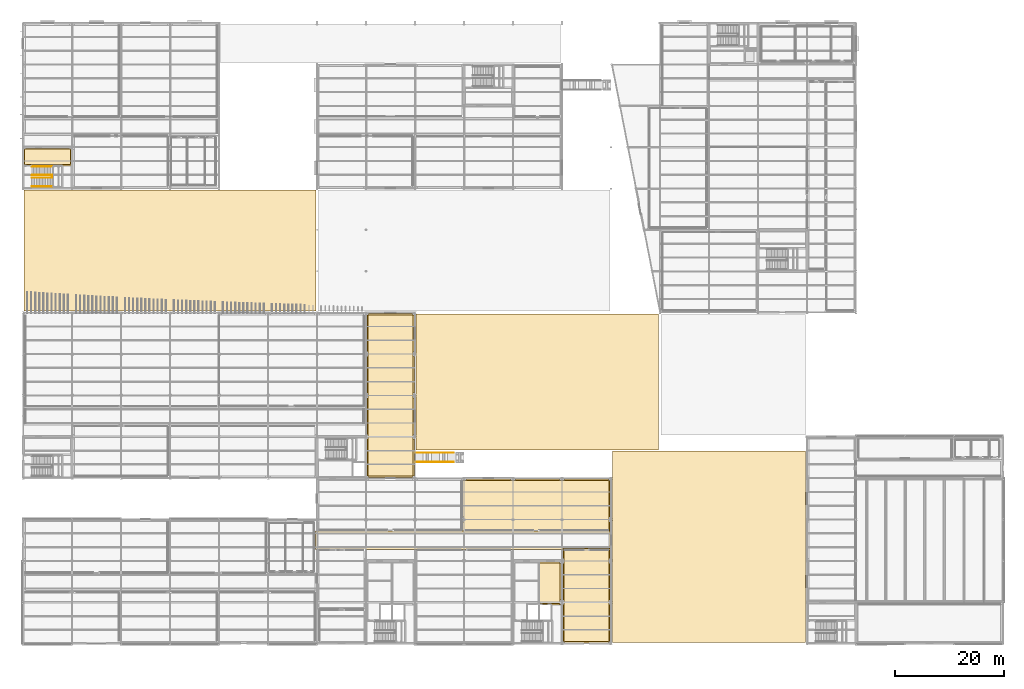
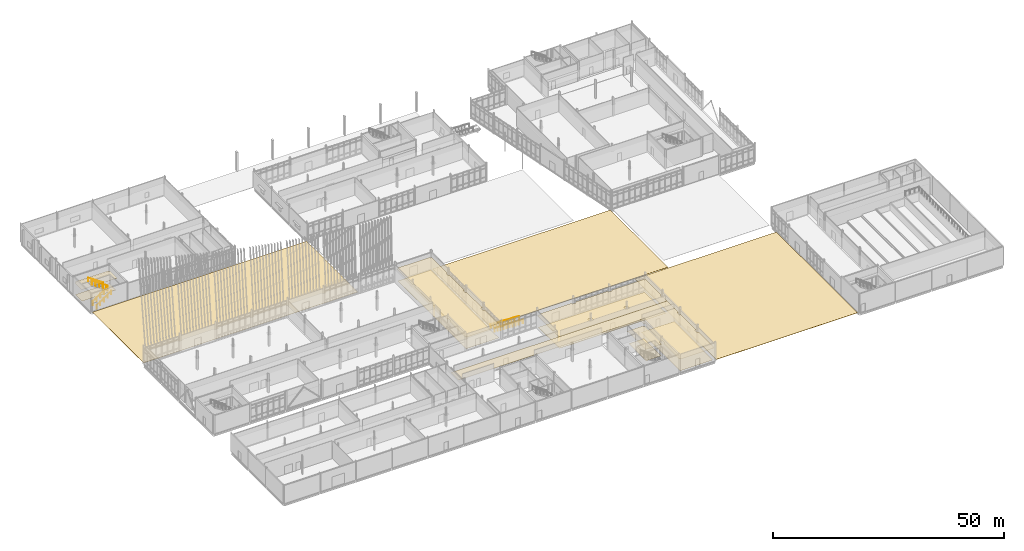
# One storey, part 154 of 161: 14 coverings, 5 railings, 1 element without a shape of its own.
"""IFC4 building model written with IfcOpenShell, lengths in metres."""

from ifc_helpers import new_model, si_unit, direction, frame, origin, origin_2d, place, context, subcontext, project, spatial, polyline, circle, outline, extrude, material, layer, layer_set, type_object, element, aggregate, save


model = new_model("IFC4")

# Units and contexts
model_context = context("Model", 3, precision=1e-05, world=origin(), true_north=direction((0.0, 1.0)))
body_context = subcontext(model_context, "Body", "Model", "MODEL_VIEW")
ifc_project = project(units=[si_unit("LENGTHUNIT", "METRE"), si_unit("AREAUNIT", "SQUARE_METRE"), si_unit("VOLUMEUNIT", "CUBIC_METRE"), si_unit("PLANEANGLEUNIT", "RADIAN"), si_unit("MASSUNIT", "GRAM", prefix="KILO")], contexts=[model_context])

# Site, building, storey
site_placement = place(None, origin())
site = spatial("IfcSite", under=ifc_project, at=site_placement, CompositionType="ELEMENT")
building_placement = place(site_placement, origin())
building = spatial("IfcBuilding", under=site, at=building_placement, Name="Caisbarro Railhouse Central Library", CompositionType="ELEMENT")
storey_placement = place(building_placement, origin())
storey = spatial("IfcBuildingStorey", under=building, at=storey_placement, Name="L00", CompositionType="ELEMENT", Elevation=0.0)

# Coverings
ifc_material_1 = material(Name="Perforated mineral-fibre acoustic ceiling tile")
ifc_layer_1 = layer(ifc_material_1, 0.01806640625, Name="Perforated mineral-fibre acoustic ceiling tile")
ifc_layer_set_1 = layer_set([ifc_layer_1], Name="Perforated mineral-fibre acoustic ceiling tile")
covering_type_1 = type_object("IfcCoveringType", Name="COV-CL01", PredefinedType="CEILING", material=ifc_layer_set_1)
covering_1_placement = place(storey_placement, frame((0.0, 0.0, 3.25)))
element("IfcCovering", 1, at=covering_1_placement, inside=storey, type_object=covering_type_1, Name="CL01 acoustic ceiling Lift Lobby K2", PredefinedType="CEILING", context=body_context, shape_type="SweptSolid", body=[
    extrude(outline(polyline([(98.56005859375, 15.110107421875), (98.56005859375, 14.760009765625), (98.909912109375, 14.760009765625), (98.909912109375, 8.0400390625), (98.56005859375, 8.0400390625), (98.56005859375, 7.159912109375), (98.909912109375, 7.159912109375), (98.909912109375, 7.090087890625), (94.639892578125, 7.090087890625), (94.639892578125, 15.110107421875), (98.56005859375, 15.110107421875)])), origin(), (0.0, 0.0, 1.0), 0.01806640625),
])
covering_2_placement = place(storey_placement, frame((0.0, 0.0, 3.25)))
element("IfcCovering", 2, at=covering_2_placement, inside=storey, type_object=covering_type_1, Name="CL01 acoustic ceiling Stair Lobby K8", PredefinedType="CEILING", context=body_context, shape_type="SweptSolid", body=[
    extrude(outline(polyline([(0.43994140625, 90.760009765625), (0.43994140625, 91.110107421875), (8.56005859375, 91.110107421875), (8.56005859375, 90.760009765625), (8.9599609375, 90.760009765625), (8.9599609375, 87.739990234375), (0.0400390625, 87.739990234375), (0.0400390625, 90.760009765625), (0.43994140625, 90.760009765625)])), origin(), (0.0, 0.0, 1.0), 0.01806640625),
])
covering_3_placement = place(storey_placement, frame((0.0, 0.0, 3.25)))
element("IfcCovering", 3, at=covering_3_placement, inside=storey, type_object=covering_type_1, Name="CL01 acoustic ceiling Ground Exit Passage East", PredefinedType="CEILING", context=body_context, shape_type="SweptSolid", body=[
    extrude(outline(polyline([(99.139892578125, 0.43994140625), (99.139892578125, 7.159912109375), (99.43994140625, 7.159912109375), (99.43994140625, 8.0400390625), (99.139892578125, 8.0400390625), (99.139892578125, 14.760009765625), (99.43994140625, 14.760009765625), (99.43994140625, 15.639892578125), (99.139892578125, 15.639892578125), (99.139892578125, 17.4599609375), (107.860107421875, 17.4599609375), (107.860107421875, 15.639892578125), (107.56005859375, 15.639892578125), (107.56005859375, 14.760009765625), (107.860107421875, 14.760009765625), (107.860107421875, 8.0400390625), (107.56005859375, 8.0400390625), (107.56005859375, 7.159912109375), (107.860107421875, 7.159912109375), (107.860107421875, 0.43994140625), (107.56005859375, 0.43994140625), (107.56005859375, 0.139892578125), (99.43994140625, 0.139892578125), (99.43994140625, 0.43994140625), (99.139892578125, 0.43994140625)])), origin(), (0.0, 0.0, 1.0), 0.01806640625),
])
covering_4_placement = place(storey_placement, frame((0.0, 0.0, 3.25)))
element("IfcCovering", 4, at=covering_4_placement, inside=storey, type_object=covering_type_1, Name="CL01 acoustic ceiling Archive Spine Corridor L00", PredefinedType="CEILING", context=body_context, shape_type="SweptSolid", body=[
    extrude(outline(polyline([(53.739990234375, 17.340087890625), (53.739990234375, 20.659912109375), (107.860107421875, 20.659912109375), (107.860107421875, 17.340087890625), (53.739990234375, 17.340087890625)])), origin(), (0.0, 0.0, 1.0), 0.01806640625),
])
covering_5_placement = place(storey_placement, frame((0.0, 0.0, 3.25)))
element("IfcCovering", 5, at=covering_5_placement, inside=storey, type_object=covering_type_1, Name="CL01 acoustic ceiling Bindery and Preservation Workshop", PredefinedType="CEILING", context=body_context, shape_type="SweptSolid", body=[
    extrude(outline(polyline([(89.56005859375, 30.260009765625), (89.56005859375, 29.9599609375), (90.43994140625, 29.9599609375), (90.43994140625, 30.260009765625), (98.56005859375, 30.260009765625), (98.56005859375, 29.9599609375), (99.43994140625, 29.9599609375), (99.43994140625, 30.260009765625), (107.56005859375, 30.260009765625), (107.56005859375, 29.9599609375), (107.860107421875, 29.9599609375), (107.860107421875, 23.239990234375), (107.56005859375, 23.239990234375), (107.56005859375, 22.360107421875), (107.860107421875, 22.360107421875), (107.860107421875, 20.5400390625), (80.739990234375, 20.5400390625), (80.739990234375, 22.360107421875), (81.43994140625, 22.360107421875), (81.43994140625, 23.239990234375), (80.739990234375, 23.239990234375), (80.739990234375, 29.9599609375), (81.43994140625, 29.9599609375), (81.43994140625, 30.260009765625), (89.56005859375, 30.260009765625)]), holes=[polyline([(89.56005859375, 23.239990234375), (89.56005859375, 22.360107421875), (90.43994140625, 22.360107421875), (90.43994140625, 23.239990234375), (89.56005859375, 23.239990234375)]), polyline([(99.43994140625, 22.360107421875), (99.43994140625, 23.239990234375), (98.56005859375, 23.239990234375), (98.56005859375, 22.360107421875), (99.43994140625, 22.360107421875)])]), origin(), (0.0, 0.0, 1.0), 0.01806640625),
])
covering_6_placement = place(storey_placement, frame((0.0, 0.0, 3.25)))
element("IfcCovering", 6, at=covering_6_placement, inside=storey, type_object=covering_type_1, Name="CL01 acoustic ceiling Main Entrance Foyer", PredefinedType="CEILING", context=body_context, shape_type="SweptSolid", body=[
    extrude(outline(polyline([(63.139892578125, 38.43994140625), (63.139892578125, 45.159912109375), (63.43994140625, 45.159912109375), (63.43994140625, 46.0400390625), (63.139892578125, 46.0400390625), (63.139892578125, 52.760009765625), (63.43994140625, 52.760009765625), (63.43994140625, 53.639892578125), (63.139892578125, 53.639892578125), (63.139892578125, 60.360107421875), (63.43994140625, 60.360107421875), (63.43994140625, 60.659912109375), (71.56005859375, 60.659912109375), (71.56005859375, 60.360107421875), (71.860107421875, 60.360107421875), (71.860107421875, 53.639892578125), (71.56005859375, 53.639892578125), (71.56005859375, 52.760009765625), (71.860107421875, 52.760009765625), (71.860107421875, 46.0400390625), (71.56005859375, 46.0400390625), (71.56005859375, 45.159912109375), (71.860107421875, 45.159912109375), (71.860107421875, 38.43994140625), (71.56005859375, 38.43994140625), (71.56005859375, 37.56005859375), (71.860107421875, 37.56005859375), (71.860107421875, 30.840087890625), (71.56005859375, 30.840087890625), (71.56005859375, 30.5400390625), (63.43994140625, 30.5400390625), (63.43994140625, 30.840087890625), (63.139892578125, 30.840087890625), (63.139892578125, 37.56005859375), (63.43994140625, 37.56005859375), (63.43994140625, 38.43994140625), (63.139892578125, 38.43994140625)])), origin(), (0.0, 0.0, 1.0), 0.01806640625),
])
ifc_material_2 = material(Name="Polished cementitious terrazzo flooring")
ifc_layer_2 = layer(ifc_material_2, 0.02197265625, Name="Polished cementitious terrazzo flooring")
ifc_layer_set_2 = layer_set([ifc_layer_2], Name="Polished cementitious terrazzo flooring")
covering_type_2 = type_object("IfcCoveringType", Name="COV-FL01", PredefinedType="FLOORING", material=ifc_layer_set_2)
covering_7_placement = place(storey_placement, origin())
element("IfcCovering", 7, at=covering_7_placement, inside=storey, type_object=covering_type_2, Name="FL01 flooring Lift Lobby K2", PredefinedType="FLOORING", context=body_context, shape_type="SweptSolid", body=[
    extrude(outline(polyline([(94.89990234375, 7.35009765625), (98.64990234375, 7.35009765625), (98.64990234375, 14.85009765625), (94.89990234375, 14.85009765625), (94.89990234375, 7.35009765625)])), origin(), (0.0, 0.0, 1.0), 0.02197265625),
])
covering_8_placement = place(storey_placement, origin())
element("IfcCovering", 8, at=covering_8_placement, inside=storey, type_object=covering_type_2, Name="FL01 flooring Stair Lobby K8", PredefinedType="FLOORING", context=body_context, shape_type="SweptSolid", body=[
    extrude(outline(polyline([(0.300048828125, 88.0), (8.699951171875, 88.0), (8.699951171875, 90.85009765625), (0.300048828125, 90.85009765625), (0.300048828125, 88.0)])), origin(), (0.0, 0.0, 1.0), 0.02197265625),
])
covering_9_placement = place(storey_placement, origin())
element("IfcCovering", 9, at=covering_9_placement, inside=storey, type_object=covering_type_2, Name="FL01 flooring Main Entrance Foyer", PredefinedType="FLOORING", context=body_context, shape_type="SweptSolid", body=[
    extrude(outline(polyline([(63.39990234375, 30.800048828125), (71.60009765625, 30.800048828125), (71.60009765625, 60.39990234375), (63.39990234375, 60.39990234375), (63.39990234375, 30.800048828125)])), origin(), (0.0, 0.0, 1.0), 0.02197265625),
])
ifc_material_3 = material(Name="Heavy-duty acoustic linoleum flooring")
ifc_layer_3 = layer(ifc_material_3, 0.011962890625, Name="Heavy-duty acoustic linoleum flooring")
ifc_layer_set_3 = layer_set([ifc_layer_3], Name="Heavy-duty acoustic linoleum flooring")
covering_type_3 = type_object("IfcCoveringType", Name="COV-FL02", PredefinedType="FLOORING", material=ifc_layer_set_3)
covering_10_placement = place(storey_placement, origin())
element("IfcCovering", 10, at=covering_10_placement, inside=storey, type_object=covering_type_3, Name="FL02 flooring Ground Exit Passage East", PredefinedType="FLOORING", context=body_context, shape_type="SweptSolid", body=[
    extrude(outline(polyline([(99.39990234375, 0.39990234375), (107.60009765625, 0.39990234375), (107.60009765625, 17.199951171875), (99.39990234375, 17.199951171875), (99.39990234375, 0.39990234375)])), origin(), (0.0, 0.0, 1.0), 0.011962890625),
])
covering_11_placement = place(storey_placement, origin())
element("IfcCovering", 11, at=covering_11_placement, inside=storey, type_object=covering_type_3, Name="FL02 flooring Bindery and Preservation Workshop", PredefinedType="FLOORING", context=body_context, shape_type="SweptSolid", body=[
    extrude(outline(polyline([(81.0, 20.800048828125), (107.60009765625, 20.800048828125), (107.60009765625, 30.0), (81.0, 30.0), (81.0, 20.800048828125)])), origin(), (0.0, 0.0, 1.0), 0.011962890625),
])
ifc_material_4 = material(Name="Permeable light-grey granite courtyard paving", Category="masonry")
ifc_layer_4 = layer(ifc_material_4, 0.050048828125, Name="Permeable light-grey granite courtyard paving")
ifc_layer_set_4 = layer_set([ifc_layer_4], Name="Permeable light-grey granite courtyard paving")
covering_type_4 = type_object("IfcCoveringType", Name="COV-PAV01", PredefinedType="USERDEFINED", material=ifc_layer_set_4)
covering_12_placement = place(storey_placement, frame((0.0, 0.0, -0.050048828125)))
element("IfcCovering", 12, at=covering_12_placement, inside=storey, type_object=covering_type_4, Name="PV01 Courtyard Granite Paving PV-COURT-W", ObjectType="PAVING", PredefinedType="USERDEFINED", context=body_context, shape_type="SweptSolid", body=[
    extrude(outline(polyline([(0.199951171875, 61.14990234375), (53.800048828125, 61.14990234375), (53.800048828125, 83.35009765625), (0.199951171875, 83.35009765625), (0.199951171875, 61.14990234375)])), origin(), (0.0, 0.0, 1.0), 0.050048828125),
])
covering_13_placement = place(storey_placement, frame((0.0, 0.0, -0.050048828125)))
element("IfcCovering", 13, at=covering_13_placement, inside=storey, type_object=covering_type_4, Name="PV01 Courtyard Granite Paving PV-FORE-M", ObjectType="PAVING", PredefinedType="USERDEFINED", context=body_context, shape_type="SweptSolid", body=[
    extrude(outline(polyline([(72.199951171875, 35.60009765625), (116.699951171875, 35.60009765625), (116.699951171875, 60.60009765625), (72.199951171875, 60.60009765625), (72.199951171875, 35.60009765625)])), origin(), (0.0, 0.0, 1.0), 0.050048828125),
])
covering_14_placement = place(storey_placement, frame((0.0, 0.0, -0.050048828125)))
element("IfcCovering", 14, at=covering_14_placement, inside=storey, type_object=covering_type_4, Name="PV01 Courtyard Granite Paving PV-SOUTH-Y", ObjectType="PAVING", PredefinedType="USERDEFINED", context=body_context, shape_type="SweptSolid", body=[
    extrude(outline(polyline([(108.300048828125, 0.199951171875), (143.699951171875, 0.199951171875), (143.699951171875, 35.39990234375), (108.300048828125, 35.39990234375), (108.300048828125, 0.199951171875)])), origin(), (0.0, 0.0, 1.0), 0.050048828125),
])

# Ramp, railings
ifc_material_5 = material(Name="Concrete C35", Category="concrete")
ramp_type = type_object("IfcRampType", Name="RMP-ACC01", PredefinedType="STRAIGHT_RUN_RAMP", material=ifc_material_5)
ramp_placement = place(storey_placement, origin())
ramp = element("IfcRamp", 15, at=ramp_placement, inside=storey, type_object=ramp_type, Name="RP01 Accessible Entrance Ramp 1", PredefinedType="STRAIGHT_RUN_RAMP")
ifc_material_6 = material(Name="Brushed stainless steel Grade 316", Category="steel")
railing_type_1 = type_object("IfcRailingType", Name="RLG-RMP092", PredefinedType="HANDRAIL", material=ifc_material_6)
railing_1_placement = place(storey_placement, frame((79.1201171875, 33.35009765625, -0.330078125)))
railing_1 = element("IfcRailing", 16, at=railing_1_placement, type_object=railing_type_1, Name="Ramp 1 Handrail S", PredefinedType="HANDRAIL", context=body_context, shape_type="SweptSolid", body=[
    extrude(circle(Radius=0.02392578125, at=origin_2d()), frame((0.0, 0.0, 0.89599609375), z_axis=(-0.996781339262, 0.0, 0.08016833352), x_axis=(0.0, -1.0, 0.0)), (0.0, 0.0, 1.0), 1.123779296875),
    extrude(circle(Radius=0.02392578125, at=origin_2d()), frame((-1.1201171875, 0.0, 0.98583984375), z_axis=(-1.0, 0.0, 0.0), x_axis=(0.0, -1.0, 0.0)), (0.0, 0.0, 1.0), 1.5),
    extrude(circle(Radius=0.02392578125, at=origin_2d()), frame((-2.6201171875, 0.0, 0.98583984375), z_axis=(-0.996821981406, 0.0, 0.079661392069), x_axis=(0.0, -1.0, 0.0)), (0.0, 0.0, 1.0), 1.5048828125),
    extrude(circle(Radius=0.02392578125, at=origin_2d()), frame((-4.1201171875, 0.0, 1.10595703125), z_axis=(-1.0, 0.0, 0.0), x_axis=(0.0, -1.0, 0.0)), (0.0, 0.0, 1.0), 1.5),
    extrude(circle(Radius=0.02392578125, at=origin_2d()), frame((-5.6201171875, 0.0, 1.10595703125), z_axis=(-0.996586144052, 0.0, 0.082559417894), x_axis=(0.0, -1.0, 0.0)), (0.0, 0.0, 1.0), 1.454833984375),
    extrude(circle(Radius=0.02099609375, at=origin_2d()), origin(), (0.0, 0.0, 1.0), 0.871826171875),
    extrude(circle(Radius=0.02099609375, at=origin_2d()), frame((-1.1201171875, 0.0, 0.090087890625)), (0.0, 0.0, 1.0), 0.871826171875),
    extrude(circle(Radius=0.02099609375, at=origin_2d()), frame((-1.8701171875, 0.0, 0.090087890625)), (0.0, 0.0, 1.0), 0.871826171875),
    extrude(circle(Radius=0.02099609375, at=origin_2d()), frame((-2.6201171875, 0.0, 0.090087890625)), (0.0, 0.0, 1.0), 0.871826171875),
    extrude(circle(Radius=0.02099609375, at=origin_2d()), frame((-3.3701171875, 0.0, 0.14990234375)), (0.0, 0.0, 1.0), 0.871826171875),
    extrude(circle(Radius=0.02099609375, at=origin_2d()), frame((-4.1201171875, 0.0, 0.2099609375)), (0.0, 0.0, 1.0), 0.871826171875),
    extrude(circle(Radius=0.02099609375, at=origin_2d()), frame((-4.8701171875, 0.0, 0.2099609375)), (0.0, 0.0, 1.0), 0.871826171875),
    extrude(circle(Radius=0.02099609375, at=origin_2d()), frame((-5.6201171875, 0.0, 0.2099609375)), (0.0, 0.0, 1.0), 0.871826171875),
    extrude(circle(Radius=0.02099609375, at=origin_2d()), frame((-6.34521484375, 0.0, 0.27001953125)), (0.0, 0.0, 1.0), 0.871826171875),
    extrude(circle(Radius=0.02099609375, at=origin_2d()), frame((-7.070068359375, 0.0, 0.330078125)), (0.0, 0.0, 1.0), 0.871826171875),
])
railing_2_placement = place(storey_placement, frame((79.1201171875, 35.050048828125, -0.330078125)))
railing_2 = element("IfcRailing", 17, at=railing_2_placement, type_object=railing_type_1, Name="Ramp 1 Handrail N", PredefinedType="HANDRAIL", context=body_context, shape_type="SweptSolid", body=[
    extrude(circle(Radius=0.02392578125, at=origin_2d()), frame((0.0, 0.0, 0.89599609375), z_axis=(-0.996781339262, 0.0, 0.08016833352), x_axis=(0.0, -1.0, 0.0)), (0.0, 0.0, 1.0), 1.123779296875),
    extrude(circle(Radius=0.02392578125, at=origin_2d()), frame((-1.1201171875, 0.0, 0.98583984375), z_axis=(-1.0, 0.0, 0.0), x_axis=(0.0, -1.0, 0.0)), (0.0, 0.0, 1.0), 1.5),
    extrude(circle(Radius=0.02392578125, at=origin_2d()), frame((-2.6201171875, 0.0, 0.98583984375), z_axis=(-0.996821981406, 0.0, 0.079661392069), x_axis=(0.0, -1.0, 0.0)), (0.0, 0.0, 1.0), 1.5048828125),
    extrude(circle(Radius=0.02392578125, at=origin_2d()), frame((-4.1201171875, 0.0, 1.10595703125), z_axis=(-1.0, 0.0, 0.0), x_axis=(0.0, -1.0, 0.0)), (0.0, 0.0, 1.0), 1.5),
    extrude(circle(Radius=0.02392578125, at=origin_2d()), frame((-5.6201171875, 0.0, 1.10595703125), z_axis=(-0.996586144052, 0.0, 0.082559417894), x_axis=(0.0, -1.0, 0.0)), (0.0, 0.0, 1.0), 1.454833984375),
    extrude(circle(Radius=0.02099609375, at=origin_2d()), origin(), (0.0, 0.0, 1.0), 0.871826171875),
    extrude(circle(Radius=0.02099609375, at=origin_2d()), frame((-1.1201171875, 0.0, 0.090087890625)), (0.0, 0.0, 1.0), 0.871826171875),
    extrude(circle(Radius=0.02099609375, at=origin_2d()), frame((-1.8701171875, 0.0, 0.090087890625)), (0.0, 0.0, 1.0), 0.871826171875),
    extrude(circle(Radius=0.02099609375, at=origin_2d()), frame((-2.6201171875, 0.0, 0.090087890625)), (0.0, 0.0, 1.0), 0.871826171875),
    extrude(circle(Radius=0.02099609375, at=origin_2d()), frame((-3.3701171875, 0.0, 0.14990234375)), (0.0, 0.0, 1.0), 0.871826171875),
    extrude(circle(Radius=0.02099609375, at=origin_2d()), frame((-4.1201171875, 0.0, 0.2099609375)), (0.0, 0.0, 1.0), 0.871826171875),
    extrude(circle(Radius=0.02099609375, at=origin_2d()), frame((-4.8701171875, 0.0, 0.2099609375)), (0.0, 0.0, 1.0), 0.871826171875),
    extrude(circle(Radius=0.02099609375, at=origin_2d()), frame((-5.6201171875, 0.0, 0.2099609375)), (0.0, 0.0, 1.0), 0.871826171875),
    extrude(circle(Radius=0.02099609375, at=origin_2d()), frame((-6.34521484375, 0.0, 0.27001953125)), (0.0, 0.0, 1.0), 0.871826171875),
    extrude(circle(Radius=0.02099609375, at=origin_2d()), frame((-7.070068359375, 0.0, 0.330078125)), (0.0, 0.0, 1.0), 0.871826171875),
])
aggregate(ramp, [railing_1, railing_2])

# Railings
railing_type_2 = type_object("IfcRailingType", Name="RLG-STR092", PredefinedType="HANDRAIL", material=ifc_material_6)
railing_3_placement = place(storey_placement, frame((1.64990234375, 83.989990234375, 0.0)))
element("IfcRailing", 18, at=railing_3_placement, inside=storey, type_object=railing_type_2, Name="Stair ST-08 Outer Handrail F1 L00", PredefinedType="HANDRAIL", context=body_context, shape_type="SweptSolid", body=[
    extrude(circle(Radius=0.02392578125, at=origin_2d()), frame((0.0, 0.0, 0.89599609375), z_axis=(0.824379387844, 0.0, 0.566037653251), x_axis=(0.0, 1.0, 0.0)), (0.0, 0.0, 1.0), 4.4521484375),
    extrude(circle(Radius=0.02099609375, at=origin_2d()), origin(), (0.0, 0.0, 1.0), 0.871826171875),
    extrude(circle(Radius=0.02099609375, at=origin_2d()), frame((0.91748046875, 0.0, 0.6298828125)), (0.0, 0.0, 1.0), 0.871826171875),
    extrude(circle(Radius=0.02099609375, at=origin_2d()), frame((1.8349609375, 0.0, 1.260009765625)), (0.0, 0.0, 1.0), 0.871826171875),
    extrude(circle(Radius=0.02099609375, at=origin_2d()), frame((2.752685546875, 0.0, 1.89013671875)), (0.0, 0.0, 1.0), 0.871826171875),
    extrude(circle(Radius=0.02099609375, at=origin_2d()), frame((3.670166015625, 0.0, 2.52001953125)), (0.0, 0.0, 1.0), 0.871826171875),
])
railing_4_placement = place(storey_placement, frame((5.320068359375, 87.659912109375, 2.52001953125)))
element("IfcRailing", 19, at=railing_4_placement, inside=storey, type_object=railing_type_2, Name="Stair ST-08 Outer Handrail F2 L00", PredefinedType="HANDRAIL", context=body_context, shape_type="SweptSolid", body=[
    extrude(circle(Radius=0.02392578125, at=origin_2d()), frame((0.0, 0.0, 0.89599609375), z_axis=(-0.824379387844, 0.0, 0.566037653251), x_axis=(0.0, -1.0, 0.0)), (0.0, 0.0, 1.0), 4.4521484375),
    extrude(circle(Radius=0.02099609375, at=origin_2d()), origin(), (0.0, 0.0, 1.0), 0.871826171875),
    extrude(circle(Radius=0.02099609375, at=origin_2d()), frame((-0.91748046875, 0.0, 0.6298828125)), (0.0, 0.0, 1.0), 0.871826171875),
    extrude(circle(Radius=0.02099609375, at=origin_2d()), frame((-1.8349609375, 0.0, 1.260009765625)), (0.0, 0.0, 1.0), 0.871826171875),
    extrude(circle(Radius=0.02099609375, at=origin_2d()), frame((-2.752685546875, 0.0, 1.89013671875)), (0.0, 0.0, 1.0), 0.871826171875),
    extrude(circle(Radius=0.02099609375, at=origin_2d()), frame((-3.670166015625, 0.0, 2.52001953125)), (0.0, 0.0, 1.0), 0.871826171875),
])
railing_type_3 = type_object("IfcRailingType", Name="RLG-STR110", PredefinedType="GUARDRAIL", material=ifc_material_6)
railing_5_placement = place(storey_placement, frame((1.64990234375, 85.570068359375, 0.0)))
element("IfcRailing", 20, at=railing_5_placement, inside=storey, type_object=railing_type_3, Name="Stair ST-08 Inner Well Guardrail L00", PredefinedType="GUARDRAIL", context=body_context, shape_type="SweptSolid", body=[
    extrude(circle(Radius=0.02392578125, at=origin_2d()), frame((0.0, 0.0, 1.076171875), z_axis=(0.824379387844, 0.0, 0.566037653251), x_axis=(0.0, 1.0, 0.0)), (0.0, 0.0, 1.0), 4.4521484375),
    extrude(circle(Radius=0.02392578125, at=origin_2d()), frame((3.670166015625, 0.0, 3.59619140625), z_axis=(0.0, 1.0, 0.0), x_axis=(-1.0, 0.0, 0.0)), (0.0, 0.0, 1.0), 0.510009765625),
    extrude(circle(Radius=0.02392578125, at=origin_2d()), frame((3.670166015625, 0.510009765625, 3.59619140625), z_axis=(-0.824379387844, 0.0, 0.566037653251), x_axis=(0.0, -1.0, 0.0)), (0.0, 0.0, 1.0), 4.4521484375),
    extrude(circle(Radius=0.02099609375, at=origin_2d()), origin(), (0.0, 0.0, 1.0), 1.052001953125),
    extrude(circle(Radius=0.02099609375, at=origin_2d()), frame((0.91748046875, 0.0, 0.6298828125)), (0.0, 0.0, 1.0), 1.052001953125),
    extrude(circle(Radius=0.02099609375, at=origin_2d()), frame((1.8349609375, 0.0, 1.260009765625)), (0.0, 0.0, 1.0), 1.052001953125),
    extrude(circle(Radius=0.02099609375, at=origin_2d()), frame((2.752685546875, 0.0, 1.89013671875)), (0.0, 0.0, 1.0), 1.052001953125),
    extrude(circle(Radius=0.02099609375, at=origin_2d()), frame((3.670166015625, 0.0, 2.52001953125)), (0.0, 0.0, 1.0), 1.052001953125),
    extrude(circle(Radius=0.02099609375, at=origin_2d()), frame((3.670166015625, 0.510009765625, 2.52001953125)), (0.0, 0.0, 1.0), 1.052001953125),
    extrude(circle(Radius=0.02099609375, at=origin_2d()), frame((2.752685546875, 0.510009765625, 3.14990234375)), (0.0, 0.0, 1.0), 1.052001953125),
    extrude(circle(Radius=0.02099609375, at=origin_2d()), frame((1.8349609375, 0.510009765625, 3.780029296875)), (0.0, 0.0, 1.0), 1.052001953125),
    extrude(circle(Radius=0.02099609375, at=origin_2d()), frame((0.91748046875, 0.510009765625, 4.41015625)), (0.0, 0.0, 1.0), 1.052001953125),
    extrude(circle(Radius=0.02099609375, at=origin_2d()), frame((0.0, 0.510009765625, 5.0400390625)), (0.0, 0.0, 1.0), 1.052001953125),
])

save(model, "model.ifc")
